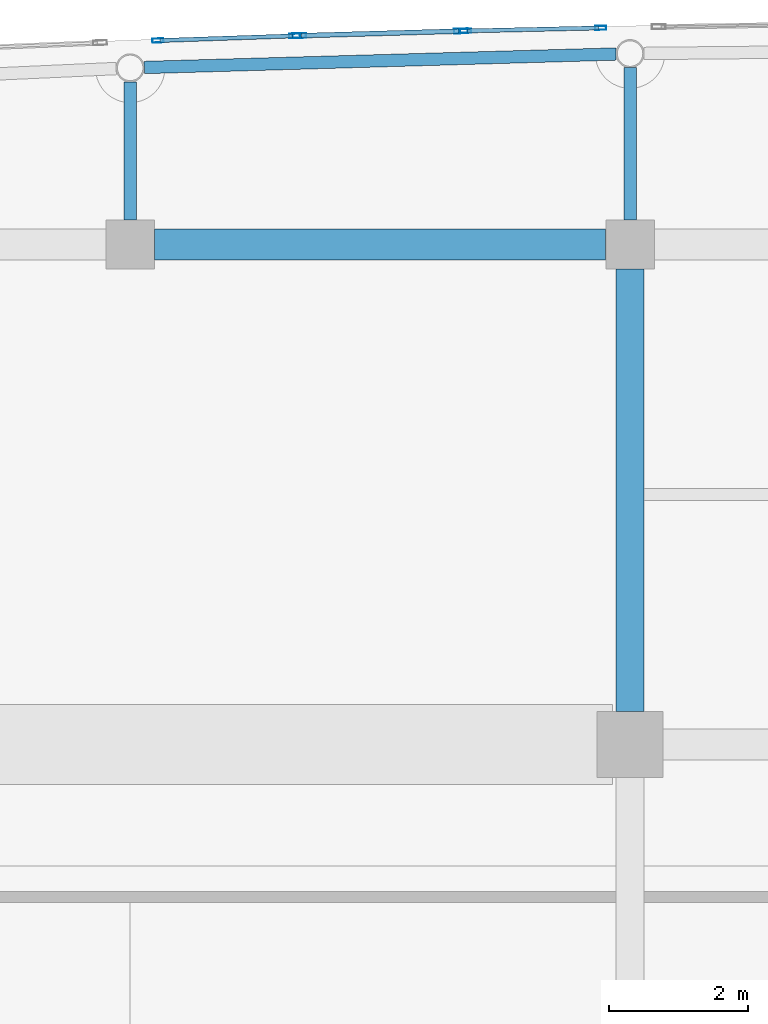
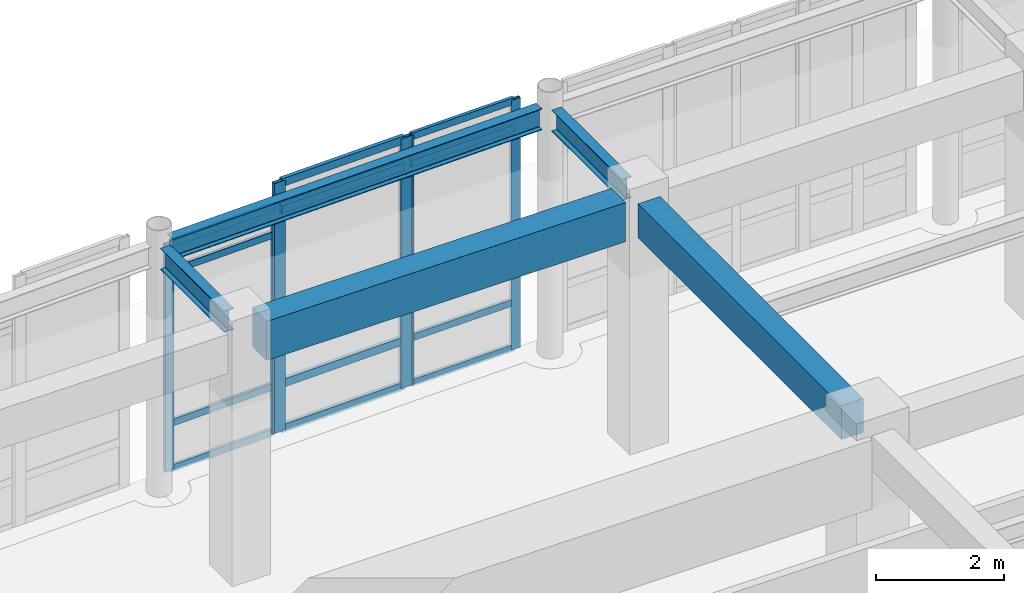
# One storey, part 47 of 117: 18 members, 5 beams, 3 elements without a shape of their own.
"""IFC4 building model written with IfcOpenShell, lengths in metres."""

from ifc_helpers import new_model, si_unit, direction, frame, origin, origin_2d, place, context, subcontext, project, spatial, rectangle, hollow_rectangle, i_section, extrude, material, layer, layer_set, material_profile, profile_set, type_object, element, aggregate, save


model = new_model("IFC4")

# Units and contexts
model_context = context("Model", 3, precision=1e-05, world=origin(), true_north=direction((0.0, 1.0)))
body_context = subcontext(model_context, "Body", "Model", "MODEL_VIEW")
ifc_project = project(units=[si_unit("LENGTHUNIT", "METRE"), si_unit("AREAUNIT", "SQUARE_METRE"), si_unit("VOLUMEUNIT", "CUBIC_METRE"), si_unit("PLANEANGLEUNIT", "RADIAN"), si_unit("MASSUNIT", "GRAM", prefix="KILO")], contexts=[model_context])

# Site, building, storey
site_placement = place(None, origin())
site = spatial("IfcSite", under=ifc_project, at=site_placement, CompositionType="ELEMENT")
building_placement = place(site_placement, origin())
building = spatial("IfcBuilding", under=site, at=building_placement, Name="Carrowvane Square Congress Hotel", CompositionType="ELEMENT")
storey_placement = place(building_placement, frame((0.0, 0.0, 5.39990234375)))
storey = spatial("IfcBuildingStorey", under=building, at=storey_placement, Name="L01", CompositionType="ELEMENT", Elevation=5.39990234375)

# Beams
ifc_material_1 = material(Name="Concrete C35/45", Category="concrete")
ifc_material_profile_1 = material_profile(ifc_material_1, rectangle(XDim=0.39990234375, YDim=0.64990234375, at=origin_2d()), Name="RC 400x650")
ifc_profile_set_1 = profile_set([ifc_material_profile_1], Name="Concrete C35/45")
beam_type_1 = type_object("IfcBeamType", Name="BM-RC-400x650", PredefinedType="BEAM", material=ifc_profile_set_1)
beam_1_placement = place(storey_placement, frame((90.800048828125, 106.675048828125, 4.455078125), z_axis=(0.0, 1.0, 0.0), x_axis=(-1.0, 0.0, 0.0)))
element("IfcBeam", 1, at=beam_1_placement, inside=storey, type_object=beam_type_1, Name="L02 girder 12/Q-R", PredefinedType="BEAM", context=body_context, shape_type="SweptSolid", body=[
    extrude(rectangle(XDim=0.39990234375, YDim=0.64990234375, at=origin_2d()), origin(), (0.0, 0.0, 1.0), 6.375),
])
ifc_material_2 = material(Name="Concrete C35/45", Category="concrete")
ifc_material_profile_2 = material_profile(ifc_material_2, rectangle(XDim=0.449951171875, YDim=0.75, at=origin_2d()), Name="RC 450x750")
ifc_profile_set_2 = profile_set([ifc_material_profile_2], Name="Concrete C35/45")
beam_type_2 = type_object("IfcBeamType", Name="BM-RC-450x750", PredefinedType="USERDEFINED", material=ifc_profile_set_2)
beam_2_placement = place(storey_placement, frame((83.949951171875, 113.39990234375, 4.405029296875), z_axis=(1.0, 0.0, 0.0), x_axis=(0.0, 1.0, 0.0)))
element("IfcBeam", 2, at=beam_2_placement, inside=storey, type_object=beam_type_2, Name="L02 girder R/11-12", ObjectType="GIRDER", PredefinedType="USERDEFINED", context=body_context, shape_type="SweptSolid", body=[
    extrude(rectangle(XDim=0.449951171875, YDim=0.75, at=origin_2d()), origin(), (0.0, 0.0, 1.0), 6.5),
])
ifc_material_3 = material(Name="Steel S355", Category="steel")
ifc_material_profile_3 = material_profile(ifc_material_3, i_section(OverallWidth=0.1787109375, OverallDepth=0.409423828125, WebThickness=0.0087890625, FlangeThickness=0.014404296875, FilletRadius=0.01025390625, at=origin_2d()), Name="UKB 406x178x67")
ifc_profile_set_3 = profile_set([ifc_material_profile_3], Name="Steel S355")
beam_type_3 = type_object("IfcBeamType", Name="BM-ST-UKB406", PredefinedType="BEAM", material=ifc_profile_set_3)
beam_3_placement = place(storey_placement, frame((83.80322265625, 115.94970703125, 4.575439453125), z_axis=(0.999591118992, 0.02859361522, 0.0), x_axis=(-0.02859361522, 0.999591118992, 0.0)))
element("IfcBeam", 3, at=beam_3_placement, inside=storey, type_object=beam_type_3, Name="L02 curved north spandrel", PredefinedType="BEAM", context=body_context, shape_type="SweptSolid", body=[
    extrude(i_section(OverallWidth=0.1787109375, OverallDepth=0.409423828125, WebThickness=0.0087890625, FlangeThickness=0.014404296875, FilletRadius=0.01025390625, at=origin_2d()), origin(), (0.0, 0.0, 1.0), 6.79638671875),
])
beam_4_placement = place(storey_placement, frame((83.60009765625, 113.75, 4.575439453125), z_axis=(0.0, 1.0, 0.0), x_axis=(-1.0, 0.0, 0.0)))
element("IfcBeam", 4, at=beam_4_placement, inside=storey, type_object=beam_type_3, Name="L02 radial north beam 11", PredefinedType="BEAM", context=body_context, shape_type="SweptSolid", body=[
    extrude(i_section(OverallWidth=0.1787109375, OverallDepth=0.409423828125, WebThickness=0.0087890625, FlangeThickness=0.014404296875, FilletRadius=0.01025390625, at=origin_2d()), origin(), (0.0, 0.0, 1.0), 1.99072265625),
])
beam_5_placement = place(storey_placement, frame((90.800048828125, 113.75, 4.575439453125), z_axis=(0.0, 1.0, 0.0), x_axis=(-1.0, 0.0, 0.0)))
element("IfcBeam", 5, at=beam_5_placement, inside=storey, type_object=beam_type_3, Name="L02 radial north beam 12", PredefinedType="BEAM", context=body_context, shape_type="SweptSolid", body=[
    extrude(i_section(OverallWidth=0.1787109375, OverallDepth=0.409423828125, WebThickness=0.0087890625, FlangeThickness=0.014404296875, FilletRadius=0.01025390625, at=origin_2d()), origin(), (0.0, 0.0, 1.0), 2.196533203125),
])

# Curtain wall, members
ifc_material_4 = material(Name="Anodised aluminium", Category="aluminium")
ifc_layer_1 = layer(ifc_material_4, 0.18603515625)
ifc_layer_set_1 = layer_set([ifc_layer_1], Name="Anodised aluminium")
curtain_wall_type_1 = type_object("IfcCurtainWallType", Name="CW-SYS-3", PredefinedType="NOTDEFINED", material=ifc_layer_set_1)
curtain_wall_1_placement = place(storey_placement, origin())
curtain_wall_1 = element("IfcCurtainWall", 6, at=curtain_wall_1_placement, inside=storey, type_object=curtain_wall_type_1, Name="L01 unitised curtain wall 82", PredefinedType="NOTDEFINED")
ifc_material_5 = material(Name="Anodised aluminium", Category="aluminium")
ifc_material_profile_4 = material_profile(ifc_material_5, hollow_rectangle(XDim=0.06005859375, YDim=0.159912109375, WallThickness=0.00390625, at=origin_2d()), Name="CW-ML 60x160x4")
ifc_profile_set_4 = profile_set([ifc_material_profile_4], Name="Anodised aluminium")
member_type_1 = type_object("IfcMemberType", Name="CW-MUL-1", PredefinedType="MULLION", material=ifc_profile_set_4)
member_1_placement = place(storey_placement, frame((84.00048828125, 116.337890625, 0.0), z_axis=(0.0, 0.0, 1.0), x_axis=(-0.034526729036, 0.999403774749, 0.0)))
member_1 = element("IfcMember", 7, at=member_1_placement, type_object=member_type_1, Name="CW-3 mullion 1", PredefinedType="MULLION", context=body_context, shape_type="SweptSolid", body=[
    extrude(hollow_rectangle(XDim=0.06005859375, YDim=0.159912109375, WallThickness=0.00390625, at=origin_2d()), origin(), (0.0, 0.0, 1.0), 4.355712890625),
])
member_2_placement = place(storey_placement, frame((85.969970703125, 116.406005859375, 0.0), z_axis=(0.0, 0.0, 1.0), x_axis=(-0.034526729036, 0.999403774749, 0.0)))
member_2 = element("IfcMember", 8, at=member_2_placement, type_object=member_type_1, Name="CW-3 mullion 2", PredefinedType="MULLION", context=body_context, shape_type="SweptSolid", body=[
    extrude(hollow_rectangle(XDim=0.06005859375, YDim=0.159912109375, WallThickness=0.00390625, at=origin_2d()), origin(), (0.0, 0.0, 1.0), 4.355712890625),
])

ifc_material_6 = material(Name="Anodised aluminium", Category="aluminium")
ifc_layer_2 = layer(ifc_material_6, 0.2099609375)
ifc_layer_set_2 = layer_set([ifc_layer_2], Name="Anodised aluminium")
curtain_wall_type_2 = type_object("IfcCurtainWallType", Name="CW-SYS-5", PredefinedType="NOTDEFINED", material=ifc_layer_set_2)
curtain_wall_2_placement = place(storey_placement, origin())
curtain_wall_2 = element("IfcCurtainWall", 9, at=curtain_wall_2_placement, inside=storey, type_object=curtain_wall_type_2, Name="L01 unitised curtain wall 84", PredefinedType="NOTDEFINED")
member_3_placement = place(storey_placement, frame((88.429931640625, 116.476318359375, 0.0), z_axis=(0.0, 0.0, 1.0), x_axis=(-0.022517686606, 0.99974644475, 0.0)))
member_3 = element("IfcMember", 10, at=member_3_placement, type_object=member_type_1, Name="CW-5 mullion 1", PredefinedType="MULLION", context=body_context, shape_type="SweptSolid", body=[
    extrude(hollow_rectangle(XDim=0.06005859375, YDim=0.159912109375, WallThickness=0.00390625, at=origin_2d()), origin(), (0.0, 0.0, 1.0), 4.780029296875),
])
member_4_placement = place(storey_placement, frame((90.377685546875, 116.520263671875, 0.0), z_axis=(0.0, 0.0, 1.0), x_axis=(-0.022517686606, 0.99974644475, 0.0)))
member_4 = element("IfcMember", 11, at=member_4_placement, type_object=member_type_1, Name="CW-5 mullion 2", PredefinedType="MULLION", context=body_context, shape_type="SweptSolid", body=[
    extrude(hollow_rectangle(XDim=0.06005859375, YDim=0.159912109375, WallThickness=0.00390625, at=origin_2d()), origin(), (0.0, 0.0, 1.0), 4.780029296875),
])

ifc_material_7 = material(Name="Anodised aluminium", Category="aluminium")
ifc_layer_3 = layer(ifc_material_7, 0.197998046875)
ifc_layer_set_3 = layer_set([ifc_layer_3], Name="Anodised aluminium")
curtain_wall_type_3 = type_object("IfcCurtainWallType", Name="CW-SYS-4", PredefinedType="NOTDEFINED", material=ifc_layer_set_3)
curtain_wall_3_placement = place(storey_placement, origin())
curtain_wall_3 = element("IfcCurtainWall", 12, at=curtain_wall_3_placement, inside=storey, type_object=curtain_wall_type_3, Name="L01 unitised curtain wall 83", PredefinedType="NOTDEFINED")
ifc_material_8 = material(Name="Anodised aluminium", Category="aluminium")
ifc_material_profile_5 = material_profile(ifc_material_8, hollow_rectangle(XDim=0.070068359375, YDim=0.199951171875, WallThickness=0.0048828125, at=origin_2d()), Name="CW-ML 70x200x5")
ifc_profile_set_5 = profile_set([ifc_material_profile_5], Name="Anodised aluminium")
member_type_2 = type_object("IfcMemberType", Name="CW-MUL-2", PredefinedType="MULLION", material=ifc_profile_set_5)
member_5_placement = place(storey_placement, frame((86.034912109375, 116.407958984375, 0.0), z_axis=(0.0, 0.0, 1.0), x_axis=(-0.028638010501, 0.999589848065, 0.0)))
member_5 = element("IfcMember", 13, at=member_5_placement, type_object=member_type_2, Name="CW-4 mullion 1", PredefinedType="MULLION", context=body_context, shape_type="SweptSolid", body=[
    extrude(hollow_rectangle(XDim=0.070068359375, YDim=0.199951171875, WallThickness=0.0048828125, at=origin_2d()), origin(), (0.0, 0.0, 1.0), 4.780029296875),
])
member_6_placement = place(storey_placement, frame((88.364990234375, 116.474609375, 0.0), z_axis=(0.0, 0.0, 1.0), x_axis=(-0.028638010501, 0.999589848065, 0.0)))
member_6 = element("IfcMember", 14, at=member_6_placement, type_object=member_type_2, Name="CW-4 mullion 2", PredefinedType="MULLION", context=body_context, shape_type="SweptSolid", body=[
    extrude(hollow_rectangle(XDim=0.070068359375, YDim=0.199951171875, WallThickness=0.0048828125, at=origin_2d()), origin(), (0.0, 0.0, 1.0), 4.780029296875),
])

# Member
ifc_material_9 = material(Name="Anodised aluminium", Category="aluminium")
ifc_material_profile_6 = material_profile(ifc_material_9, hollow_rectangle(XDim=0.06005859375, YDim=0.1298828125, WallThickness=0.00390625, at=origin_2d()), Name="CW-TR 60x130x4")
ifc_profile_set_6 = profile_set([ifc_material_profile_6], Name="Anodised aluminium")
member_type_3 = type_object("IfcMemberType", Name="CW-TRN-1", PredefinedType="USERDEFINED", material=ifc_profile_set_6)
member_7_placement = place(storey_placement, frame((84.030517578125, 116.3388671875, 0.030029296875), z_axis=(0.999404632698, 0.034501886054, 0.0), x_axis=(-0.034501886054, 0.999404632698, 0.0)))
member_7 = element("IfcMember", 15, at=member_7_placement, type_object=member_type_3, Name="CW-3 transom 1.1", ObjectType="TRANSOM", PredefinedType="USERDEFINED", context=body_context, shape_type="SweptSolid", body=[
    extrude(hollow_rectangle(XDim=0.06005859375, YDim=0.1298828125, WallThickness=0.00390625, at=origin_2d()), origin(), (0.0, 0.0, 1.0), 1.91064453125),
])

member_8_placement = place(storey_placement, frame((84.030517578125, 116.3388671875, 0.900146484375), z_axis=(0.999404632698, 0.034501886054, 0.0), x_axis=(-0.034501886054, 0.999404632698, 0.0)))
member_8 = element("IfcMember", 16, at=member_8_placement, type_object=member_type_3, Name="CW-3 transom 1.2", ObjectType="TRANSOM", PredefinedType="USERDEFINED", context=body_context, shape_type="SweptSolid", body=[
    extrude(hollow_rectangle(XDim=0.06005859375, YDim=0.1298828125, WallThickness=0.00390625, at=origin_2d()), origin(), (0.0, 0.0, 1.0), 1.91064453125),
])

member_9_placement = place(storey_placement, frame((84.030517578125, 116.3388671875, 3.8056640625), z_axis=(0.999404632698, 0.034501886054, 0.0), x_axis=(-0.034501886054, 0.999404632698, 0.0)))
member_9 = element("IfcMember", 17, at=member_9_placement, type_object=member_type_3, Name="CW-3 transom 1.3", ObjectType="TRANSOM", PredefinedType="USERDEFINED", context=body_context, shape_type="SweptSolid", body=[
    extrude(hollow_rectangle(XDim=0.06005859375, YDim=0.1298828125, WallThickness=0.00390625, at=origin_2d()), origin(), (0.0, 0.0, 1.0), 1.91064453125),
])

member_10_placement = place(storey_placement, frame((84.030517578125, 116.3388671875, 4.32568359375), z_axis=(0.999404632698, 0.034501886054, 0.0), x_axis=(-0.034501886054, 0.999404632698, 0.0)))
member_10 = element("IfcMember", 18, at=member_10_placement, type_object=member_type_3, Name="CW-3 transom 1.4", ObjectType="TRANSOM", PredefinedType="USERDEFINED", context=body_context, shape_type="SweptSolid", body=[
    extrude(hollow_rectangle(XDim=0.06005859375, YDim=0.1298828125, WallThickness=0.00390625, at=origin_2d()), origin(), (0.0, 0.0, 1.0), 1.91064453125),
])

aggregate(curtain_wall_1, [member_1, member_2, member_7, member_8, member_9, member_10])

member_11_placement = place(storey_placement, frame((88.4599609375, 116.47705078125, 0.030029296875), z_axis=(0.999746883827, 0.022498183883, 0.0), x_axis=(-0.022498183883, 0.999746883827, 0.0)))
member_11 = element("IfcMember", 19, at=member_11_placement, type_object=member_type_3, Name="CW-5 transom 1.1", ObjectType="TRANSOM", PredefinedType="USERDEFINED", context=body_context, shape_type="SweptSolid", body=[
    extrude(hollow_rectangle(XDim=0.06005859375, YDim=0.1298828125, WallThickness=0.00390625, at=origin_2d()), origin(), (0.0, 0.0, 1.0), 1.88818359375),
])

member_12_placement = place(storey_placement, frame((88.4599609375, 116.47705078125, 0.900146484375), z_axis=(0.999746883827, 0.022498183883, 0.0), x_axis=(-0.022498183883, 0.999746883827, 0.0)))
member_12 = element("IfcMember", 20, at=member_12_placement, type_object=member_type_3, Name="CW-5 transom 1.2", ObjectType="TRANSOM", PredefinedType="USERDEFINED", context=body_context, shape_type="SweptSolid", body=[
    extrude(hollow_rectangle(XDim=0.06005859375, YDim=0.1298828125, WallThickness=0.00390625, at=origin_2d()), origin(), (0.0, 0.0, 1.0), 1.88818359375),
])

member_13_placement = place(storey_placement, frame((88.4599609375, 116.47705078125, 4.22998046875), z_axis=(0.999746883827, 0.022498183883, 0.0), x_axis=(-0.022498183883, 0.999746883827, 0.0)))
member_13 = element("IfcMember", 21, at=member_13_placement, type_object=member_type_3, Name="CW-5 transom 1.3", ObjectType="TRANSOM", PredefinedType="USERDEFINED", context=body_context, shape_type="SweptSolid", body=[
    extrude(hollow_rectangle(XDim=0.06005859375, YDim=0.1298828125, WallThickness=0.00390625, at=origin_2d()), origin(), (0.0, 0.0, 1.0), 1.88818359375),
])

member_14_placement = place(storey_placement, frame((88.4599609375, 116.47705078125, 4.75), z_axis=(0.999746883827, 0.022498183883, 0.0), x_axis=(-0.022498183883, 0.999746883827, 0.0)))
member_14 = element("IfcMember", 22, at=member_14_placement, type_object=member_type_3, Name="CW-5 transom 1.4", ObjectType="TRANSOM", PredefinedType="USERDEFINED", context=body_context, shape_type="SweptSolid", body=[
    extrude(hollow_rectangle(XDim=0.06005859375, YDim=0.1298828125, WallThickness=0.00390625, at=origin_2d()), origin(), (0.0, 0.0, 1.0), 1.88818359375),
])

aggregate(curtain_wall_2, [member_3, member_4, member_11, member_12, member_13, member_14])

ifc_material_10 = material(Name="Anodised aluminium", Category="aluminium")
ifc_material_profile_7 = material_profile(ifc_material_10, hollow_rectangle(XDim=0.070068359375, YDim=0.14990234375, WallThickness=0.0048828125, at=origin_2d()), Name="CW-TR 70x150x5")
ifc_profile_set_7 = profile_set([ifc_material_profile_7], Name="Anodised aluminium")
member_type_4 = type_object("IfcMemberType", Name="CW-TRN-2", PredefinedType="USERDEFINED", material=ifc_profile_set_7)
member_15_placement = place(storey_placement, frame((86.070068359375, 116.408935546875, 0.03515625), z_axis=(0.999590499539, 0.028615262221, 0.0), x_axis=(-0.028615262221, 0.999590499539, 0.0)))
member_15 = element("IfcMember", 23, at=member_15_placement, type_object=member_type_4, Name="CW-4 transom 1.1", ObjectType="TRANSOM", PredefinedType="USERDEFINED", context=body_context, shape_type="SweptSolid", body=[
    extrude(hollow_rectangle(XDim=0.070068359375, YDim=0.14990234375, WallThickness=0.0048828125, at=origin_2d()), origin(), (0.0, 0.0, 1.0), 2.260986328125),
])

member_16_placement = place(storey_placement, frame((86.070068359375, 116.408935546875, 0.900146484375), z_axis=(0.999590499539, 0.028615262221, 0.0), x_axis=(-0.028615262221, 0.999590499539, 0.0)))
member_16 = element("IfcMember", 24, at=member_16_placement, type_object=member_type_4, Name="CW-4 transom 1.2", ObjectType="TRANSOM", PredefinedType="USERDEFINED", context=body_context, shape_type="SweptSolid", body=[
    extrude(hollow_rectangle(XDim=0.070068359375, YDim=0.14990234375, WallThickness=0.0048828125, at=origin_2d()), origin(), (0.0, 0.0, 1.0), 2.260986328125),
])

member_17_placement = place(storey_placement, frame((86.070068359375, 116.408935546875, 4.22998046875), z_axis=(0.999590499539, 0.028615262221, 0.0), x_axis=(-0.028615262221, 0.999590499539, 0.0)))
member_17 = element("IfcMember", 25, at=member_17_placement, type_object=member_type_4, Name="CW-4 transom 1.3", ObjectType="TRANSOM", PredefinedType="USERDEFINED", context=body_context, shape_type="SweptSolid", body=[
    extrude(hollow_rectangle(XDim=0.070068359375, YDim=0.14990234375, WallThickness=0.0048828125, at=origin_2d()), origin(), (0.0, 0.0, 1.0), 2.260986328125),
])

member_18_placement = place(storey_placement, frame((86.070068359375, 116.408935546875, 4.7451171875), z_axis=(0.999590499539, 0.028615262221, 0.0), x_axis=(-0.028615262221, 0.999590499539, 0.0)))
member_18 = element("IfcMember", 26, at=member_18_placement, type_object=member_type_4, Name="CW-4 transom 1.4", ObjectType="TRANSOM", PredefinedType="USERDEFINED", context=body_context, shape_type="SweptSolid", body=[
    extrude(hollow_rectangle(XDim=0.070068359375, YDim=0.14990234375, WallThickness=0.0048828125, at=origin_2d()), origin(), (0.0, 0.0, 1.0), 2.260986328125),
])

aggregate(curtain_wall_3, [member_5, member_6, member_15, member_16, member_17, member_18])

save(model, "model.ifc")
